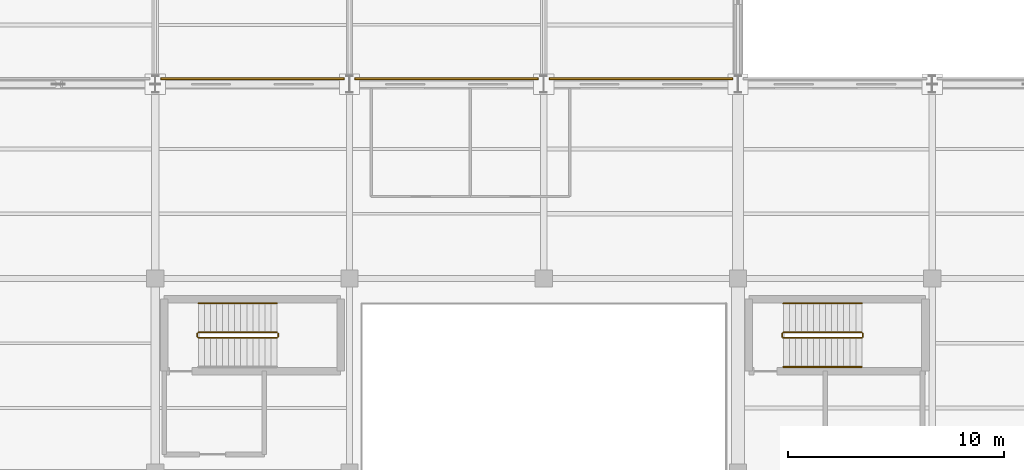
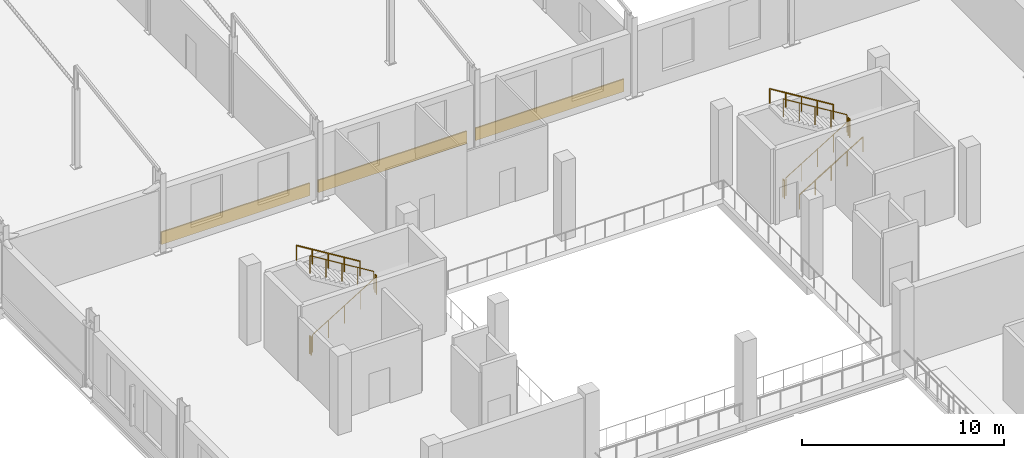
# One storey, part 51 of 54: 11 railings, 3 coverings.
"""IFC4 building model written with IfcOpenShell, lengths in metres."""

from ifc_helpers import new_model, si_unit, direction, frame, origin, origin_2d, place, context, subcontext, project, spatial, rectangle, circle, extrude, material, layer, layer_set, type_object, element, save


model = new_model("IFC4")

# Units and contexts
model_context = context("Model", 3, precision=1e-05, world=origin(), true_north=direction((0.0, 1.0)))
body_context = subcontext(model_context, "Body", "Model", "MODEL_VIEW")
ifc_project = project(units=[si_unit("LENGTHUNIT", "METRE"), si_unit("AREAUNIT", "SQUARE_METRE"), si_unit("VOLUMEUNIT", "CUBIC_METRE"), si_unit("PLANEANGLEUNIT", "RADIAN"), si_unit("MASSUNIT", "GRAM", prefix="KILO")], contexts=[model_context])

# Site, building, storey
site_placement = place(None, origin())
site = spatial("IfcSite", under=ifc_project, at=site_placement, CompositionType="ELEMENT")
building_placement = place(site_placement, origin())
building = spatial("IfcBuilding", under=site, at=building_placement, Name="Sundgate Opera House", CompositionType="ELEMENT")
storey_placement = place(building_placement, frame((0.0, 0.0, 16.800048828125)))
storey = spatial("IfcBuildingStorey", under=building, at=storey_placement, Name="L03", CompositionType="ELEMENT", Elevation=16.800048828125)

# Coverings
ifc_material_1 = material(Name="Deep-carved Komstad limestone relief panel", Category="masonry")
ifc_layer_1 = layer(ifc_material_1, 0.094970703125)
ifc_layer_set_1 = layer_set([ifc_layer_1], Name="Deep-carved Komstad limestone relief panel")
covering_type_1 = type_object("IfcCoveringType", Name="CV-TRENC-DEEP", PredefinedType="CLADDING", material=ifc_layer_set_1)
covering_1_placement = place(storey_placement, frame((40.5, 87.257568359375, 0.044921875), z_axis=(0.0, 0.0, 1.0), x_axis=(1.0, 0.0, 0.0)))
element("IfcCovering", 1, at=covering_1_placement, inside=storey, type_object=covering_type_1, Name="L03 Trencadis 750mm Relief Band CV0028", PredefinedType="CLADDING", context=body_context, shape_type="SweptSolid", body=[
    extrude(rectangle(XDim=8.510009765625, YDim=0.074951171875, at=origin_2d()), origin(), (0.0, 0.0, 1.0), 0.75),
])
ifc_material_2 = material(Name="Frost-proof vitrified stoneware trencadis relief tile", Category="masonry")
ifc_layer_2 = layer(ifc_material_2, 0.074951171875)
ifc_layer_set_2 = layer_set([ifc_layer_2], Name="Frost-proof vitrified stoneware trencadis relief tile")
covering_type_2 = type_object("IfcCoveringType", Name="CV-TRENC-RELIEF", PredefinedType="CLADDING", material=ifc_layer_set_2)
covering_2_placement = place(storey_placement, frame((58.5, 87.257568359375, 0.044921875), z_axis=(0.0, 0.0, 1.0), x_axis=(1.0, 0.0, 0.0)))
element("IfcCovering", 2, at=covering_2_placement, inside=storey, type_object=covering_type_2, Name="L03 Trencadis 750mm Relief Band CV0032", PredefinedType="CLADDING", context=body_context, shape_type="SweptSolid", body=[
    extrude(rectangle(XDim=8.510009765625, YDim=0.074951171875, at=origin_2d()), origin(), (0.0, 0.0, 1.0), 0.75),
])
ifc_material_3 = material(Name="Polychrome trencadis mosaic panel", Category="masonry")
ifc_layer_3 = layer(ifc_material_3, 0.054931640625)
ifc_layer_set_3 = layer_set([ifc_layer_3], Name="Polychrome trencadis mosaic panel")
covering_type_3 = type_object("IfcCoveringType", Name="CV-TRENC-SLIM", PredefinedType="CLADDING", material=ifc_layer_set_3)
covering_3_placement = place(storey_placement, frame((49.5, 87.257568359375, 0.044921875), z_axis=(0.0, 0.0, 1.0), x_axis=(1.0, 0.0, 0.0)))
element("IfcCovering", 3, at=covering_3_placement, inside=storey, type_object=covering_type_3, Name="L03 Trencadis 750mm Relief Band CV0030", PredefinedType="CLADDING", context=body_context, shape_type="SweptSolid", body=[
    extrude(rectangle(XDim=8.510009765625, YDim=0.074951171875, at=origin_2d()), origin(), (0.0, 0.0, 1.0), 0.75),
])

# Railings
ifc_material_4 = material(Name="Painted steel S275 guardrail", Category="steel")
railing_type_1 = type_object("IfcRailingType", Name="RL-STAIR-GUARD-1100", PredefinedType="GUARDRAIL", material=ifc_material_4)
railing_1_placement = place(storey_placement, frame((38.0, 75.25, 0.17138671875)))
element("IfcRailing", 4, at=railing_1_placement, inside=storey, type_object=railing_type_1, Name="ST02L03 Guardrail RL0071", PredefinedType="GUARDRAIL", context=body_context, shape_type="SweptSolid", body=[
    extrude(circle(Radius=0.02392578125, at=origin_2d()), frame((0.0, 0.0, 1.076171875), z_axis=(0.852850264322, 0.0, 0.5221555579), x_axis=(0.0, 1.0, 0.0)), (0.0, 0.0, 1.0), 4.267822265625),
    extrude(circle(Radius=0.02099609375, at=origin_2d()), origin(), (0.0, 0.0, 1.0), 1.052001953125),
    extrude(circle(Radius=0.02099609375, at=origin_2d()), frame((0.909912109375, 0.0, 0.55712890625)), (0.0, 0.0, 1.0), 1.052001953125),
    extrude(circle(Radius=0.02099609375, at=origin_2d()), frame((1.81982421875, 0.0, 1.1142578125)), (0.0, 0.0, 1.0), 1.052001953125),
    extrude(circle(Radius=0.02099609375, at=origin_2d()), frame((2.72998046875, 0.0, 1.67138671875)), (0.0, 0.0, 1.0), 1.052001953125),
    extrude(circle(Radius=0.02099609375, at=origin_2d()), frame((3.639892578125, 0.0, 2.228515625)), (0.0, 0.0, 1.0), 1.052001953125),
])
railing_2_placement = place(storey_placement, frame((41.68994140625, 75.300048828125, 2.39990234375)))
element("IfcRailing", 5, at=railing_2_placement, inside=storey, type_object=railing_type_1, Name="ST02L03 Guardrail RL0072", PredefinedType="GUARDRAIL", context=body_context, shape_type="SweptSolid", body=[
    extrude(circle(Radius=0.02392578125, at=origin_2d()), frame((0.0, 0.0, 1.076171875), z_axis=(0.0, 1.0, 0.0), x_axis=(-1.0, 0.0, 0.0)), (0.0, 0.0, 1.0), 0.14990234375),
    extrude(circle(Radius=0.02099609375, at=origin_2d()), origin(), (0.0, 0.0, 1.0), 1.052001953125),
    extrude(circle(Radius=0.02099609375, at=origin_2d()), frame((0.0, 0.14990234375, 0.0)), (0.0, 0.0, 1.0), 1.052001953125),
])
railing_3_placement = place(storey_placement, frame((41.639892578125, 75.5, 2.5712890625)))
element("IfcRailing", 6, at=railing_3_placement, inside=storey, type_object=railing_type_1, Name="ST02L03 Guardrail RL0073", PredefinedType="GUARDRAIL", context=body_context, shape_type="SweptSolid", body=[
    extrude(circle(Radius=0.02392578125, at=origin_2d()), frame((0.0, 0.0, 1.076171875), z_axis=(-0.852824790078, 0.0, 0.522197163366), x_axis=(0.0, -1.0, 0.0)), (0.0, 0.0, 1.0), 4.26806640625),
    extrude(circle(Radius=0.02099609375, at=origin_2d()), origin(), (0.0, 0.0, 1.0), 1.052001953125),
    extrude(circle(Radius=0.02099609375, at=origin_2d()), frame((-0.909912109375, 0.0, 0.55712890625)), (0.0, 0.0, 1.0), 1.052001953125),
    extrude(circle(Radius=0.02099609375, at=origin_2d()), frame((-1.81982421875, 0.0, 1.1142578125)), (0.0, 0.0, 1.0), 1.052001953125),
    extrude(circle(Radius=0.02099609375, at=origin_2d()), frame((-2.72998046875, 0.0, 1.671630859375)), (0.0, 0.0, 1.0), 1.052001953125),
    extrude(circle(Radius=0.02099609375, at=origin_2d()), frame((-3.639892578125, 0.0, 2.228759765625)), (0.0, 0.0, 1.0), 1.052001953125),
])
railing_4_placement = place(storey_placement, frame((37.949951171875, 75.300048828125, 0.0)))
element("IfcRailing", 7, at=railing_4_placement, inside=storey, type_object=railing_type_1, Name="ST02L03 Guardrail RL0074", PredefinedType="GUARDRAIL", context=body_context, shape_type="SweptSolid", body=[
    extrude(circle(Radius=0.02392578125, at=origin_2d()), frame((0.0, 0.0, 1.076171875), z_axis=(0.0, 1.0, 0.0), x_axis=(-1.0, 0.0, 0.0)), (0.0, 0.0, 1.0), 0.14990234375),
    extrude(circle(Radius=0.02099609375, at=origin_2d()), origin(), (0.0, 0.0, 1.0), 1.052001953125),
    extrude(circle(Radius=0.02099609375, at=origin_2d()), frame((0.0, 0.14990234375, 0.0)), (0.0, 0.0, 1.0), 1.052001953125),
])
railing_5_placement = place(storey_placement, frame((65.10009765625, 75.25, 0.17138671875)))
element("IfcRailing", 8, at=railing_5_placement, inside=storey, type_object=railing_type_1, Name="ST04L03 Guardrail RL0157", PredefinedType="GUARDRAIL", context=body_context, shape_type="SweptSolid", body=[
    extrude(circle(Radius=0.02392578125, at=origin_2d()), frame((0.0, 0.0, 1.076171875), z_axis=(0.852850264322, 0.0, 0.5221555579), x_axis=(0.0, 1.0, 0.0)), (0.0, 0.0, 1.0), 4.267822265625),
    extrude(circle(Radius=0.02099609375, at=origin_2d()), origin(), (0.0, 0.0, 1.0), 1.052001953125),
    extrude(circle(Radius=0.02099609375, at=origin_2d()), frame((0.909912109375, 0.0, 0.55712890625)), (0.0, 0.0, 1.0), 1.052001953125),
    extrude(circle(Radius=0.02099609375, at=origin_2d()), frame((1.81982421875, 0.0, 1.1142578125)), (0.0, 0.0, 1.0), 1.052001953125),
    extrude(circle(Radius=0.02099609375, at=origin_2d()), frame((2.72998046875, 0.0, 1.67138671875)), (0.0, 0.0, 1.0), 1.052001953125),
    extrude(circle(Radius=0.02099609375, at=origin_2d()), frame((3.639892578125, 0.0, 2.228515625)), (0.0, 0.0, 1.0), 1.052001953125),
])
railing_6_placement = place(storey_placement, frame((68.7900390625, 75.300048828125, 2.39990234375)))
element("IfcRailing", 9, at=railing_6_placement, inside=storey, type_object=railing_type_1, Name="ST04L03 Guardrail RL0158", PredefinedType="GUARDRAIL", context=body_context, shape_type="SweptSolid", body=[
    extrude(circle(Radius=0.02392578125, at=origin_2d()), frame((0.0, 0.0, 1.076171875), z_axis=(0.0, 1.0, 0.0), x_axis=(-1.0, 0.0, 0.0)), (0.0, 0.0, 1.0), 0.14990234375),
    extrude(circle(Radius=0.02099609375, at=origin_2d()), origin(), (0.0, 0.0, 1.0), 1.052001953125),
    extrude(circle(Radius=0.02099609375, at=origin_2d()), frame((0.0, 0.14990234375, 0.0)), (0.0, 0.0, 1.0), 1.052001953125),
])
railing_7_placement = place(storey_placement, frame((68.739990234375, 75.5, 2.5712890625)))
element("IfcRailing", 10, at=railing_7_placement, inside=storey, type_object=railing_type_1, Name="ST04L03 Guardrail RL0159", PredefinedType="GUARDRAIL", context=body_context, shape_type="SweptSolid", body=[
    extrude(circle(Radius=0.02392578125, at=origin_2d()), frame((0.0, 0.0, 1.076171875), z_axis=(-0.852824790078, 0.0, 0.522197163366), x_axis=(0.0, -1.0, 0.0)), (0.0, 0.0, 1.0), 4.26806640625),
    extrude(circle(Radius=0.02099609375, at=origin_2d()), origin(), (0.0, 0.0, 1.0), 1.052001953125),
    extrude(circle(Radius=0.02099609375, at=origin_2d()), frame((-0.909912109375, 0.0, 0.55712890625)), (0.0, 0.0, 1.0), 1.052001953125),
    extrude(circle(Radius=0.02099609375, at=origin_2d()), frame((-1.81982421875, 0.0, 1.1142578125)), (0.0, 0.0, 1.0), 1.052001953125),
    extrude(circle(Radius=0.02099609375, at=origin_2d()), frame((-2.72998046875, 0.0, 1.671630859375)), (0.0, 0.0, 1.0), 1.052001953125),
    extrude(circle(Radius=0.02099609375, at=origin_2d()), frame((-3.639892578125, 0.0, 2.228759765625)), (0.0, 0.0, 1.0), 1.052001953125),
])
railing_8_placement = place(storey_placement, frame((65.050048828125, 75.300048828125, 0.0)))
element("IfcRailing", 11, at=railing_8_placement, inside=storey, type_object=railing_type_1, Name="ST04L03 Guardrail RL0160", PredefinedType="GUARDRAIL", context=body_context, shape_type="SweptSolid", body=[
    extrude(circle(Radius=0.02392578125, at=origin_2d()), frame((0.0, 0.0, 1.076171875), z_axis=(0.0, 1.0, 0.0), x_axis=(-1.0, 0.0, 0.0)), (0.0, 0.0, 1.0), 0.14990234375),
    extrude(circle(Radius=0.02099609375, at=origin_2d()), origin(), (0.0, 0.0, 1.0), 1.052001953125),
    extrude(circle(Radius=0.02099609375, at=origin_2d()), frame((0.0, 0.14990234375, 0.0)), (0.0, 0.0, 1.0), 1.052001953125),
])
ifc_material_5 = material(Name="Brushed stainless steel handrail", Category="steel")
railing_type_2 = type_object("IfcRailingType", Name="RL-STAIR-HAND-900", PredefinedType="HANDRAIL", material=ifc_material_5)
railing_9_placement = place(storey_placement, frame((41.639892578125, 76.85009765625, 2.5712890625)))
element("IfcRailing", 12, at=railing_9_placement, inside=storey, type_object=railing_type_2, Name="ST02L03 Handrail RL0076", PredefinedType="HANDRAIL", context=body_context, shape_type="SweptSolid", body=[
    extrude(circle(Radius=0.02392578125, at=origin_2d()), frame((0.0, 0.0, 0.8759765625), z_axis=(-0.852824790078, 0.0, 0.522197163366), x_axis=(0.0, -1.0, 0.0)), (0.0, 0.0, 1.0), 4.26806640625),
    extrude(circle(Radius=0.02099609375, at=origin_2d()), origin(), (0.0, 0.0, 1.0), 0.851806640625),
    extrude(circle(Radius=0.02099609375, at=origin_2d()), frame((-0.909912109375, 0.0, 0.55712890625)), (0.0, 0.0, 1.0), 0.851806640625),
    extrude(circle(Radius=0.02099609375, at=origin_2d()), frame((-1.81982421875, 0.0, 1.1142578125)), (0.0, 0.0, 1.0), 0.851806640625),
    extrude(circle(Radius=0.02099609375, at=origin_2d()), frame((-2.72998046875, 0.0, 1.671630859375)), (0.0, 0.0, 1.0), 0.851806640625),
    extrude(circle(Radius=0.02099609375, at=origin_2d()), frame((-3.639892578125, 0.0, 2.228759765625)), (0.0, 0.0, 1.0), 0.851806640625),
])
railing_10_placement = place(storey_placement, frame((65.10009765625, 73.89990234375, 0.17138671875)))
element("IfcRailing", 13, at=railing_10_placement, inside=storey, type_object=railing_type_2, Name="ST04L03 Handrail RL0161", PredefinedType="HANDRAIL", context=body_context, shape_type="SweptSolid", body=[
    extrude(circle(Radius=0.02392578125, at=origin_2d()), frame((0.0, 0.0, 0.8759765625), z_axis=(0.852850264322, 0.0, 0.5221555579), x_axis=(0.0, 1.0, 0.0)), (0.0, 0.0, 1.0), 4.267822265625),
    extrude(circle(Radius=0.02099609375, at=origin_2d()), origin(), (0.0, 0.0, 1.0), 0.851806640625),
    extrude(circle(Radius=0.02099609375, at=origin_2d()), frame((0.909912109375, 0.0, 0.55712890625)), (0.0, 0.0, 1.0), 0.851806640625),
    extrude(circle(Radius=0.02099609375, at=origin_2d()), frame((1.81982421875, 0.0, 1.1142578125)), (0.0, 0.0, 1.0), 0.851806640625),
    extrude(circle(Radius=0.02099609375, at=origin_2d()), frame((2.72998046875, 0.0, 1.67138671875)), (0.0, 0.0, 1.0), 0.851806640625),
    extrude(circle(Radius=0.02099609375, at=origin_2d()), frame((3.639892578125, 0.0, 2.228515625)), (0.0, 0.0, 1.0), 0.851806640625),
])
railing_11_placement = place(storey_placement, frame((68.739990234375, 76.85009765625, 2.5712890625)))
element("IfcRailing", 14, at=railing_11_placement, inside=storey, type_object=railing_type_2, Name="ST04L03 Handrail RL0162", PredefinedType="HANDRAIL", context=body_context, shape_type="SweptSolid", body=[
    extrude(circle(Radius=0.02392578125, at=origin_2d()), frame((0.0, 0.0, 0.8759765625), z_axis=(-0.852824790078, 0.0, 0.522197163366), x_axis=(0.0, -1.0, 0.0)), (0.0, 0.0, 1.0), 4.26806640625),
    extrude(circle(Radius=0.02099609375, at=origin_2d()), origin(), (0.0, 0.0, 1.0), 0.851806640625),
    extrude(circle(Radius=0.02099609375, at=origin_2d()), frame((-0.909912109375, 0.0, 0.55712890625)), (0.0, 0.0, 1.0), 0.851806640625),
    extrude(circle(Radius=0.02099609375, at=origin_2d()), frame((-1.81982421875, 0.0, 1.1142578125)), (0.0, 0.0, 1.0), 0.851806640625),
    extrude(circle(Radius=0.02099609375, at=origin_2d()), frame((-2.72998046875, 0.0, 1.671630859375)), (0.0, 0.0, 1.0), 0.851806640625),
    extrude(circle(Radius=0.02099609375, at=origin_2d()), frame((-3.639892578125, 0.0, 2.228759765625)), (0.0, 0.0, 1.0), 0.851806640625),
])

save(model, "model.ifc")
